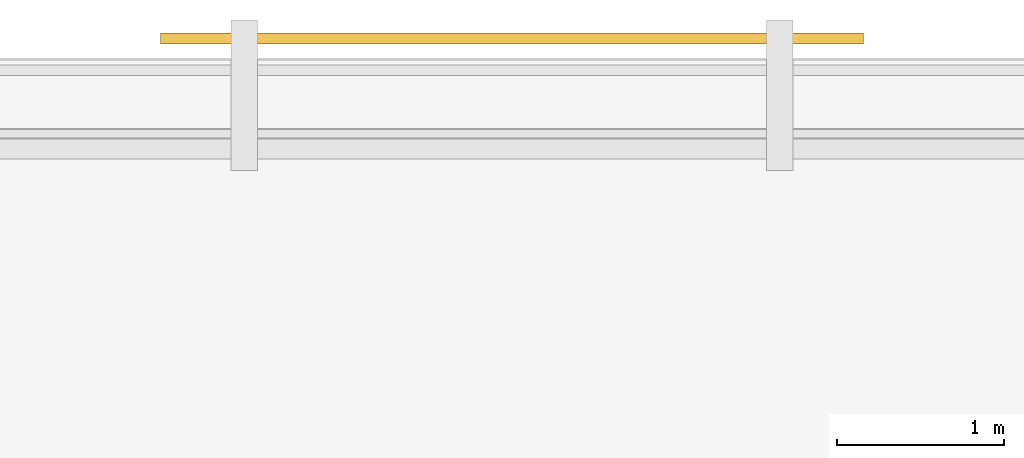
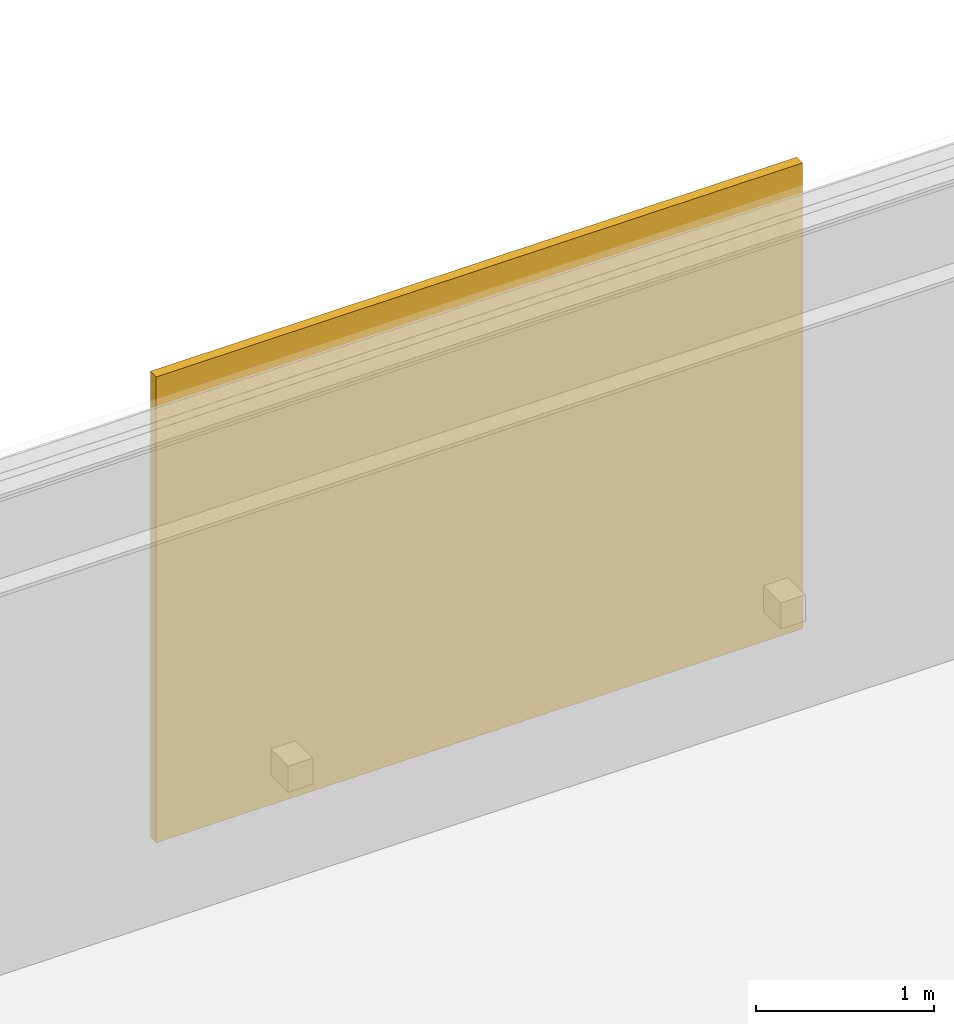
# One storey, part 28 of 29: 1 shading device.
"""IFC4 building model written with IfcOpenShell, lengths in metres."""

from ifc_helpers import new_model, si_unit, direction, frame, origin, origin_2d, place, context, subcontext, project, spatial, rectangle, extrude, material, layer, layer_set, type_object, element, save


model = new_model("IFC4")

# Units and contexts
model_context = context("Model", 3, precision=1e-05, world=origin(), true_north=direction((0.0, 1.0)))
body_context = subcontext(model_context, "Body", "Model", "MODEL_VIEW")
ifc_project = project(units=[si_unit("LENGTHUNIT", "METRE"), si_unit("AREAUNIT", "SQUARE_METRE"), si_unit("VOLUMEUNIT", "CUBIC_METRE"), si_unit("PLANEANGLEUNIT", "RADIAN"), si_unit("MASSUNIT", "GRAM", prefix="KILO")], contexts=[model_context])

# Site, building, storey
site_placement = place(None, origin())
site = spatial("IfcSite", under=ifc_project, at=site_placement, CompositionType="ELEMENT")
building_placement = place(site_placement, origin())
building = spatial("IfcBuilding", under=site, at=building_placement, Name="Brelmoor Portico Tower", CompositionType="ELEMENT")
storey_placement = place(building_placement, frame((0.0, 0.0, 63.60009765625)))
storey = spatial("IfcBuildingStorey", under=building, at=storey_placement, Name="L16", CompositionType="ELEMENT", Elevation=63.60009765625)

# Shading device
ifc_material = material(Name="Perforated Pale Champagne Aluminium Solar Screen", Category="aluminium")
ifc_layer = layer(ifc_material, 0.06494140625)
ifc_layer_set = layer_set([ifc_layer], Name="Perforated Pale Champagne Aluminium Solar Screen")
shading_device_type = type_object("IfcShadingDeviceType", Name="SD-SOLAR-SCREEN", PredefinedType="USERDEFINED", material=ifc_layer_set)
shading_device_placement = place(storey_placement, frame((0.0, 22.1201171875, 0.10009765625), z_axis=(0.0, 0.0, 1.0), x_axis=(1.0, 0.0, 0.0)))
element("IfcShadingDevice", 1, at=shading_device_placement, inside=storey, type_object=shading_device_type, Name="L16 Perforated Solar Screen N1", ObjectType="SCREEN", PredefinedType="USERDEFINED", context=body_context, shape_type="SweptSolid", body=[
    extrude(rectangle(XDim=4.199951171875, YDim=0.06494140625, at=origin_2d()), origin(), (0.0, 0.0, 1.0), 3.199951171875),
])

save(model, "model.ifc")
